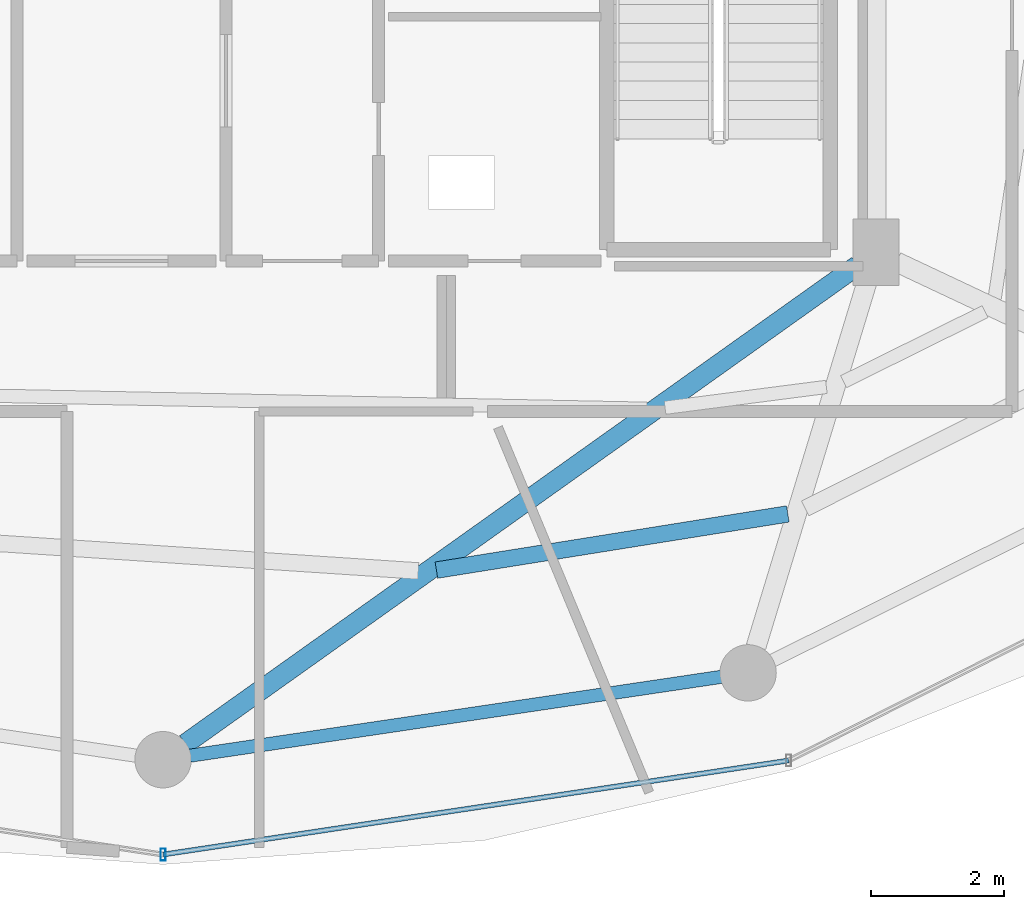
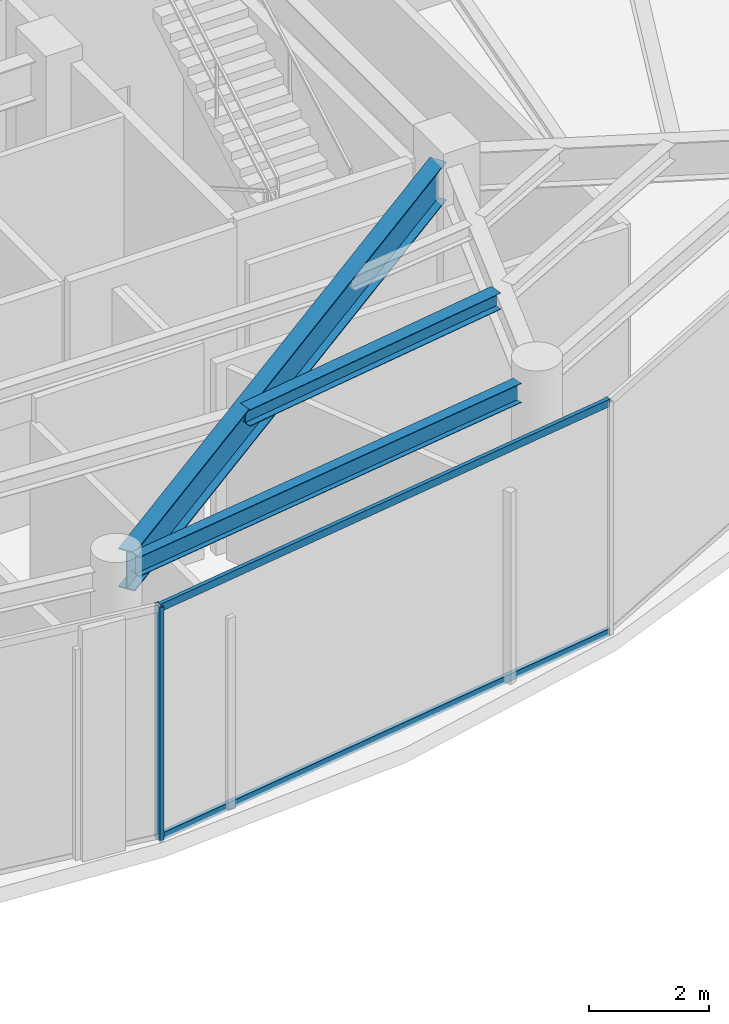
# One storey, part 5 of 24: 3 beams, 3 members, 1 element without a shape of its own.
"""IFC4 building model written with IfcOpenShell, lengths in metres."""

from ifc_helpers import new_model, si_unit, direction, frame, origin, origin_2d, place, context, subcontext, project, spatial, hollow_rectangle, i_section, extrude, material, material_profile, profile_set, type_object, element, aggregate, save


model = new_model("IFC4")

# Units and contexts
model_context = context("Model", 3, precision=1e-05, world=origin(), true_north=direction((0.0, 1.0)))
body_context = subcontext(model_context, "Body", "Model", "MODEL_VIEW")
ifc_project = project(units=[si_unit("LENGTHUNIT", "METRE"), si_unit("AREAUNIT", "SQUARE_METRE"), si_unit("VOLUMEUNIT", "CUBIC_METRE"), si_unit("PLANEANGLEUNIT", "RADIAN"), si_unit("MASSUNIT", "GRAM", prefix="KILO")], contexts=[model_context])

# Site, building, storey
site_placement = place(None, origin())
site = spatial("IfcSite", under=ifc_project, at=site_placement, CompositionType="ELEMENT")
building_placement = place(site_placement, origin())
building = spatial("IfcBuilding", under=site, at=building_placement, Name="Vorneva Point Tower", CompositionType="ELEMENT")
storey_placement = place(building_placement, frame((0.0, 0.0, 285.39990234375)))
storey = spatial("IfcBuildingStorey", under=building, at=storey_placement, Name="L77", CompositionType="ELEMENT", Elevation=285.39990234375)

# Beams
ifc_material_1 = material(Name="Steel S355", Category="steel")
ifc_material_profile_1 = material_profile(ifc_material_1, i_section(OverallWidth=0.300048828125, OverallDepth=0.7880859375, WebThickness=0.014404296875, FlangeThickness=0.02197265625, at=origin_2d()), Name="80Sh1")
ifc_profile_set_1 = profile_set([ifc_material_profile_1], Name="Steel S355")
beam_type_1 = type_object("IfcBeamType", Name="BM-GRD-80Sh1", PredefinedType="USERDEFINED", material=ifc_profile_set_1)
beam_1_placement = place(storey_placement, frame((38.33642578125, 9.03955078125, 4.296142578125), z_axis=(0.814757147543, 0.579802371958, 0.0), x_axis=(-0.579802371958, 0.814757147543, 0.0)))
element("IfcBeam", 1, at=beam_1_placement, inside=storey, type_object=beam_type_1, Name="L77 Radial Primary Girder 13", ObjectType="GIRDER", PredefinedType="USERDEFINED", context=body_context, shape_type="SweptSolid", body=[
    extrude(i_section(OverallWidth=0.300048828125, OverallDepth=0.7880859375, WebThickness=0.014404296875, FlangeThickness=0.02197265625, at=origin_2d()), origin(), (0.0, 0.0, 1.0), 12.441162109375),
])
ifc_material_profile_2 = material_profile(ifc_material_1, i_section(OverallWidth=0.2490234375, OverallDepth=0.333984375, WebThickness=0.008056640625, FlangeThickness=0.010986328125, at=origin_2d()), Name="35Sh1")
ifc_profile_set_2 = profile_set([ifc_material_profile_2], Name="Steel S355")
beam_type_2 = type_object("IfcBeamType", Name="BM-SEC-35Sh1", PredefinedType="BEAM", material=ifc_profile_set_2)
beam_2_placement = place(storey_placement, frame((42.121826171875, 11.658203125, 4.523193359375), z_axis=(0.987444038717, 0.157969207134, 0.0), x_axis=(-0.157969207134, 0.987444038717, 0.0)))
element("IfcBeam", 2, at=beam_2_placement, inside=storey, type_object=beam_type_2, Name="L77 Secondary Floor Beam 1.13", PredefinedType="BEAM", context=body_context, shape_type="SweptSolid", body=[
    extrude(i_section(OverallWidth=0.2490234375, OverallDepth=0.333984375, WebThickness=0.008056640625, FlangeThickness=0.010986328125, at=origin_2d()), origin(), (0.0, 0.0, 1.0), 5.365966796875),
])
ifc_material_profile_3 = material_profile(ifc_material_1, i_section(OverallWidth=0.198974609375, OverallDepth=0.39599609375, WebThickness=0.007080078125, FlangeThickness=0.010986328125, at=origin_2d()), Name="40B1")
ifc_profile_set_3 = profile_set([ifc_material_profile_3], Name="Steel S355")
beam_type_3 = type_object("IfcBeamType", Name="BM-SPN-40B1", PredefinedType="SPANDREL", material=ifc_profile_set_3)
beam_3_placement = place(storey_placement, frame((38.405517578125, 8.860107421875, 4.4921875), z_axis=(0.989161657331, 0.146830567886, 0.0), x_axis=(-0.146830567886, 0.989161657331, 0.0)))
element("IfcBeam", 3, at=beam_3_placement, inside=storey, type_object=beam_type_3, Name="L77 Perimeter Spandrel Ring Beam 13", PredefinedType="SPANDREL", context=body_context, shape_type="SweptSolid", body=[
    extrude(i_section(OverallWidth=0.198974609375, OverallDepth=0.39599609375, WebThickness=0.007080078125, FlangeThickness=0.010986328125, at=origin_2d()), origin(), (0.0, 0.0, 1.0), 8.097412109375),
])

# Curtain wall, members
ifc_material_2 = material(Name="Pale anodised aluminium", Category="aluminium")
curtain_wall_type = type_object("IfcCurtainWallType", Name="CW-OBS-SYS", PredefinedType="NOTDEFINED", material=ifc_material_2)
curtain_wall_placement = place(storey_placement, origin())
curtain_wall = element("IfcCurtainWall", 4, at=curtain_wall_placement, inside=storey, type_object=curtain_wall_type, Name="L77 Unitised Curtain Wall CW-L77-R04", PredefinedType="NOTDEFINED")
ifc_material_profile_4 = material_profile(ifc_material_2, hollow_rectangle(XDim=0.074951171875, YDim=0.179931640625, WallThickness=0.00390625, at=origin_2d()), Name="AL-MUL 180x75x4")
ifc_profile_set_4 = profile_set([ifc_material_profile_4], Name="Pale anodised aluminium")
member_type_1 = type_object("IfcMemberType", Name="CW-MUL-180", PredefinedType="MULLION", material=ifc_profile_set_4)
member_1_placement = place(storey_placement, frame((38.0, 7.3701171875, -0.039794921875), z_axis=(0.0, 0.0, 1.0), x_axis=(1.0, 0.0, 0.0)))
member_1 = element("IfcMember", 5, at=member_1_placement, type_object=member_type_1, Name="CW-L77-R04 Mullion 02", PredefinedType="MULLION", context=body_context, shape_type="SweptSolid", body=[
    extrude(hollow_rectangle(XDim=0.074951171875, YDim=0.179931640625, WallThickness=0.00390625, at=origin_2d()), origin(), (0.0, 0.0, 1.0), 4.760009765625),
])
ifc_material_profile_5 = material_profile(ifc_material_2, hollow_rectangle(XDim=0.074951171875, YDim=0.14990234375, WallThickness=0.00390625, at=origin_2d()), Name="AL-TRN 150x75x4")
ifc_profile_set_5 = profile_set([ifc_material_profile_5], Name="Pale anodised aluminium")
member_type_2 = type_object("IfcMemberType", Name="CW-TRN-150", PredefinedType="USERDEFINED", material=ifc_profile_set_5)
member_2_placement = place(storey_placement, frame((38.0, 7.3701171875, 0.02001953125), z_axis=(0.988890123612, 0.148648321288, 0.0), x_axis=(-0.148648321288, 0.988890123612, 0.0)))
member_2 = element("IfcMember", 6, at=member_2_placement, type_object=member_type_2, Name="CW-L77-R04 Transom 02.1", ObjectType="TRANSOM", PredefinedType="USERDEFINED", context=body_context, shape_type="SweptSolid", body=[
    extrude(hollow_rectangle(XDim=0.074951171875, YDim=0.14990234375, WallThickness=0.00390625, at=origin_2d()), origin(), (0.0, 0.0, 1.0), 9.5390625),
])
member_3_placement = place(storey_placement, frame((38.0, 7.3701171875, 4.670166015625), z_axis=(0.988890123612, 0.148648321288, 0.0), x_axis=(-0.148648321288, 0.988890123612, 0.0)))
member_3 = element("IfcMember", 7, at=member_3_placement, type_object=member_type_2, Name="CW-L77-R04 Transom 02.2", ObjectType="TRANSOM", PredefinedType="USERDEFINED", context=body_context, shape_type="SweptSolid", body=[
    extrude(hollow_rectangle(XDim=0.074951171875, YDim=0.14990234375, WallThickness=0.00390625, at=origin_2d()), origin(), (0.0, 0.0, 1.0), 9.5390625),
])
aggregate(curtain_wall, [member_1, member_2, member_3])

save(model, "model.ifc")
